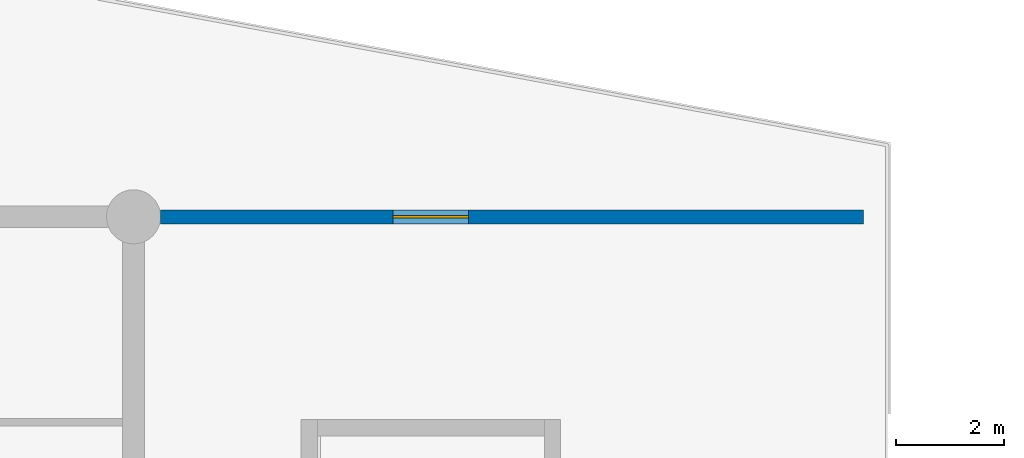
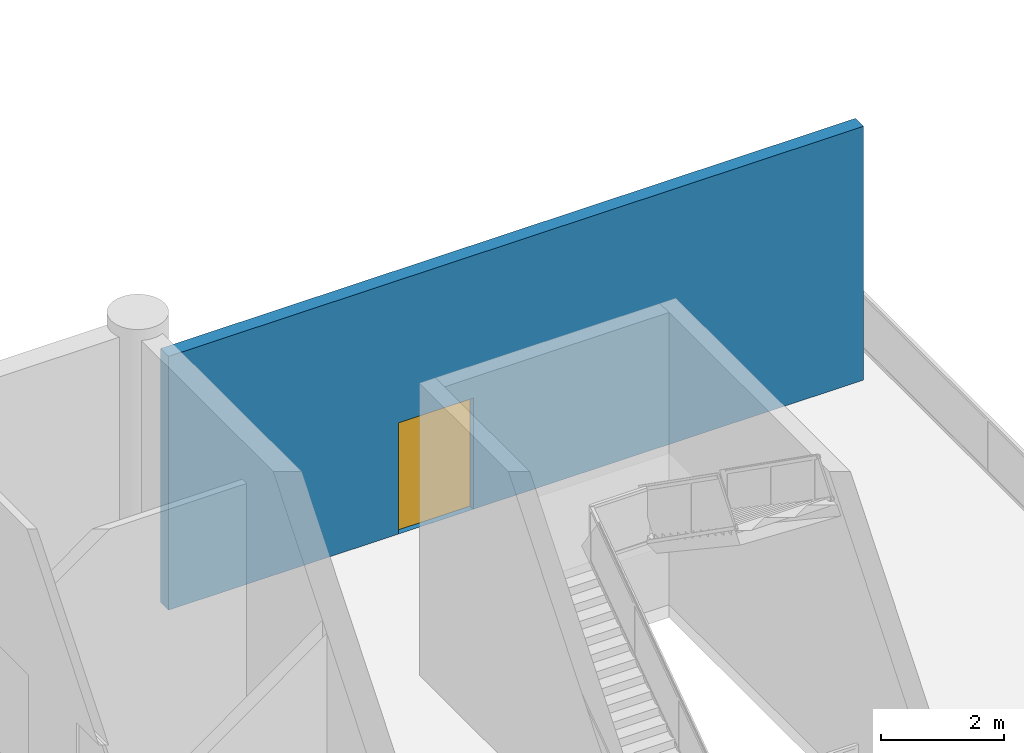
# One storey, part 53 of 73: 1 door, 1 wall, 1 opening.
"""IFC4 building model written with IfcOpenShell, lengths in metres."""

from ifc_helpers import new_model, si_unit, direction, frame, frame_2d, origin, place, context, subcontext, project, spatial, rectangle, extrude, material, layer, layer_set, type_object, element, fill, save


model = new_model("IFC4")

# Units and contexts
model_context = context("Model", 3, precision=1e-05, world=origin(), true_north=direction((0.0, 1.0)))
body_context = subcontext(model_context, "Body", "Model", "MODEL_VIEW")
ifc_project = project(units=[si_unit("LENGTHUNIT", "METRE"), si_unit("AREAUNIT", "SQUARE_METRE"), si_unit("VOLUMEUNIT", "CUBIC_METRE"), si_unit("PLANEANGLEUNIT", "RADIAN"), si_unit("MASSUNIT", "GRAM", prefix="KILO")], contexts=[model_context])

# Site, building, storey
site_placement = place(None, origin())
site = spatial("IfcSite", under=ifc_project, at=site_placement, CompositionType="ELEMENT")
building_placement = place(site_placement, origin())
building = spatial("IfcBuilding", under=site, at=building_placement, Name="Linyun Crest Stadium", CompositionType="ELEMENT")
storey_placement = place(building_placement, origin())
storey = spatial("IfcBuildingStorey", under=building, at=storey_placement, Name="L01", CompositionType="ELEMENT", Elevation=0.0)

# Wall, opening, door
ifc_material_1 = material(Name="Precast concrete C40 architectural ribbed panel", Category="concrete")
ifc_layer_1 = layer(ifc_material_1, 0.260009765625)
ifc_layer_set_1 = layer_set([ifc_layer_1], Name="Precast concrete C40 architectural ribbed panel")
wall_type = type_object("IfcWallType", Name="EW02", PredefinedType="SOLIDWALL", material=ifc_layer_set_1)
wall_placement = place(storey_placement, frame((28.5, 105.25, 0.0), z_axis=(0.0, 0.0, 1.0), x_axis=(1.0, 0.0, 0.0)))
wall = element("IfcWall", 1, at=wall_placement, inside=storey, type_object=wall_type, Name="Exterior wall EW02 L01 29", PredefinedType="SOLIDWALL", context=body_context, shape_type="SweptSolid", body=[
    extrude(rectangle(XDim=13.0, YDim=0.260009765625, at=frame_2d((6.5, 0.0))), origin(), (0.0, 0.0, 1.0), 5.02001953125),
])
opening_placement = place(wall_placement, frame((4.300048828125, 0.0, 0.0)))
opening = element("IfcOpeningElement", 2, at=opening_placement, cuts=wall, Name="Opening E-ST26", PredefinedType="OPENING", context=body_context, shape_type="SweptSolid", body=[
    extrude(rectangle(XDim=1.39990234375, YDim=2.199951171875, at=frame_2d((0.699951171875, 1.10009765625))), frame((0.0, 0.139892578125, 0.0), z_axis=(0.0, -1.0, 0.0), x_axis=(1.0, 0.0, 0.0)), (0.0, 0.0, 1.0), 0.280029296875),
])
ifc_material_2 = material(Name="Galvanized fire-rated steel leaf", Category="steel")
ifc_layer_2 = layer(ifc_material_2, 0.054931640625)
ifc_layer_set_2 = layer_set([ifc_layer_2], Name="Galvanized fire-rated steel leaf")
door_type = type_object("IfcDoorType", Name="FD09", OperationType="NOTDEFINED", PredefinedType="DOOR", material=ifc_layer_set_2)
door_placement = place(opening_placement, origin())
door = element("IfcDoor", 3, at=door_placement, inside=storey, type_object=door_type, Name="Stair discharge exit E-ST26", OperationType="SINGLE_SWING_RIGHT", OverallHeight=2.199951171875, OverallWidth=1.39990234375, PredefinedType="DOOR", context=body_context, shape_type="SweptSolid", body=[
    extrude(rectangle(XDim=1.39990234375, YDim=2.199951171875, at=frame_2d((0.699951171875, 1.10009765625))), frame((0.0, 0.02490234375, 0.0), z_axis=(0.0, -1.0, 0.0), x_axis=(1.0, 0.0, 0.0)), (0.0, 0.0, 1.0), 0.050048828125),
])
fill(opening, door)

save(model, "model.ifc")
